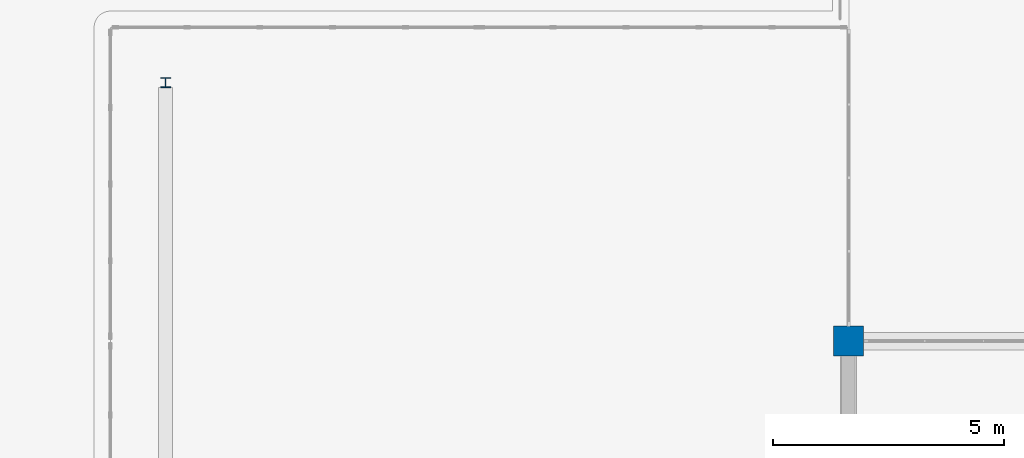
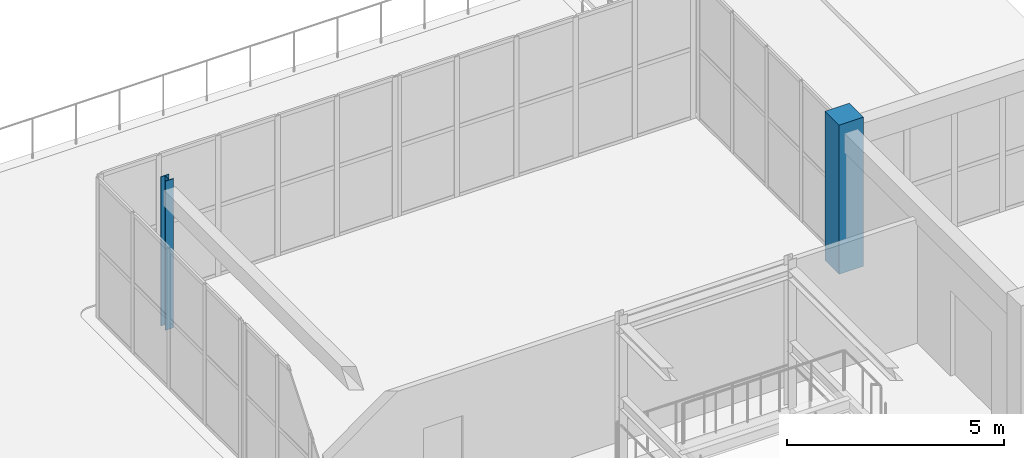
# One storey, part 6 of 90: 2 columns.
"""IFC4 building model written with IfcOpenShell, lengths in metres."""

from ifc_helpers import new_model, si_unit, direction, frame, origin, origin_2d, place, context, subcontext, project, spatial, rectangle, i_section, extrude, material, material_profile, profile_set, type_object, element, save


model = new_model("IFC4")

# Units and contexts
model_context = context("Model", 3, precision=1e-05, world=origin(), true_north=direction((0.0, 1.0)))
body_context = subcontext(model_context, "Body", "Model", "MODEL_VIEW")
ifc_project = project(units=[si_unit("LENGTHUNIT", "METRE"), si_unit("AREAUNIT", "SQUARE_METRE"), si_unit("VOLUMEUNIT", "CUBIC_METRE"), si_unit("PLANEANGLEUNIT", "RADIAN"), si_unit("MASSUNIT", "GRAM", prefix="KILO")], contexts=[model_context])

# Site, building, storey
site_placement = place(None, origin())
site = spatial("IfcSite", under=ifc_project, at=site_placement, CompositionType="ELEMENT")
building_placement = place(site_placement, origin())
building = spatial("IfcBuilding", under=site, at=building_placement, Name="Trelvath General Hospital", CompositionType="ELEMENT")
storey_placement = place(building_placement, frame((0.0, 0.0, 20.39990234375)))
storey = spatial("IfcBuildingStorey", under=building, at=storey_placement, Name="L05", CompositionType="ELEMENT", Elevation=20.39990234375)

# Columns
ifc_material_1 = material(Name="Concrete C40/50", Category="concrete")
ifc_material_profile_1 = material_profile(ifc_material_1, rectangle(XDim=0.64990234375, YDim=0.64990234375, at=origin_2d()), Name="RC650x650")
ifc_profile_set_1 = profile_set([ifc_material_profile_1], Name="Concrete C40/50")
column_type_1 = type_object("IfcColumnType", Name="Column RC650", PredefinedType="COLUMN", material=ifc_profile_set_1)
column_1_placement = place(storey_placement, frame((75.60009765625, 67.199951171875, 0.0), z_axis=(0.0, 0.0, 1.0), x_axis=(1.0, 0.0, 0.0)))
element("IfcColumn", 1, at=column_1_placement, inside=storey, type_object=column_type_1, Name="Column C-10I L05", PredefinedType="COLUMN", context=body_context, shape_type="SweptSolid", body=[
    extrude(rectangle(XDim=0.64990234375, YDim=0.64990234375, at=origin_2d()), origin(), (0.0, 0.0, 1.0), 4.2001953125),
])
ifc_material_2 = material(Name="Steel S355", Category="steel")
ifc_material_profile_2 = material_profile(ifc_material_2, i_section(OverallWidth=0.219970703125, OverallDepth=0.219970703125, WebThickness=0.009521484375, FlangeThickness=0.01611328125, at=origin_2d()), Name="HEB220")
ifc_profile_set_2 = profile_set([ifc_material_profile_2], Name="Steel S355")
column_type_2 = type_object("IfcColumnType", Name="CubePost HEB220", PredefinedType="COLUMN", material=ifc_profile_set_2)
column_2_placement = place(storey_placement, frame((60.800048828125, 72.800048828125, 0.0), z_axis=(0.0, 0.0, 1.0), x_axis=(1.0, 0.0, 0.0)))
element("IfcColumn", 2, at=column_2_placement, inside=storey, type_object=column_type_2, Name="Cube Interior Column CC-W06 L05", PredefinedType="COLUMN", context=body_context, shape_type="SweptSolid", body=[
    extrude(i_section(OverallWidth=0.219970703125, OverallDepth=0.219970703125, WebThickness=0.009521484375, FlangeThickness=0.01611328125, at=origin_2d()), origin(), (0.0, 0.0, 1.0), 4.2001953125),
])

save(model, "model.ifc")
